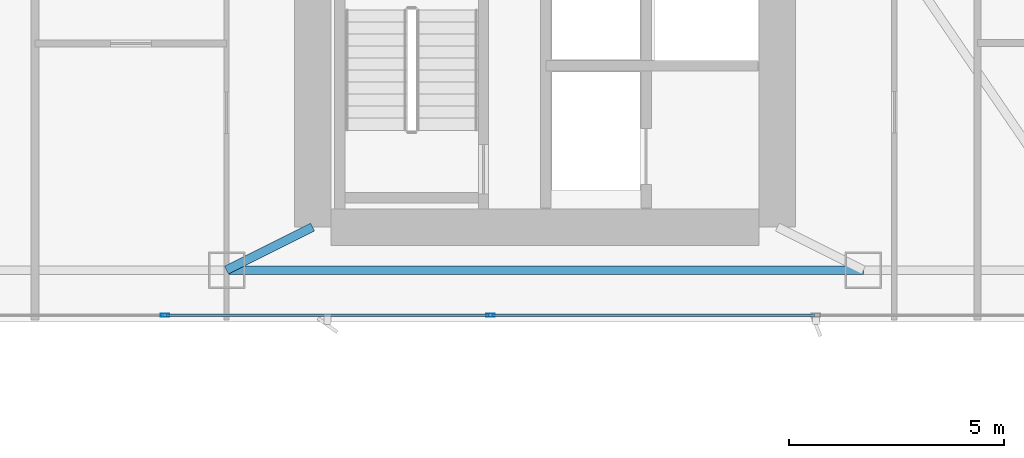
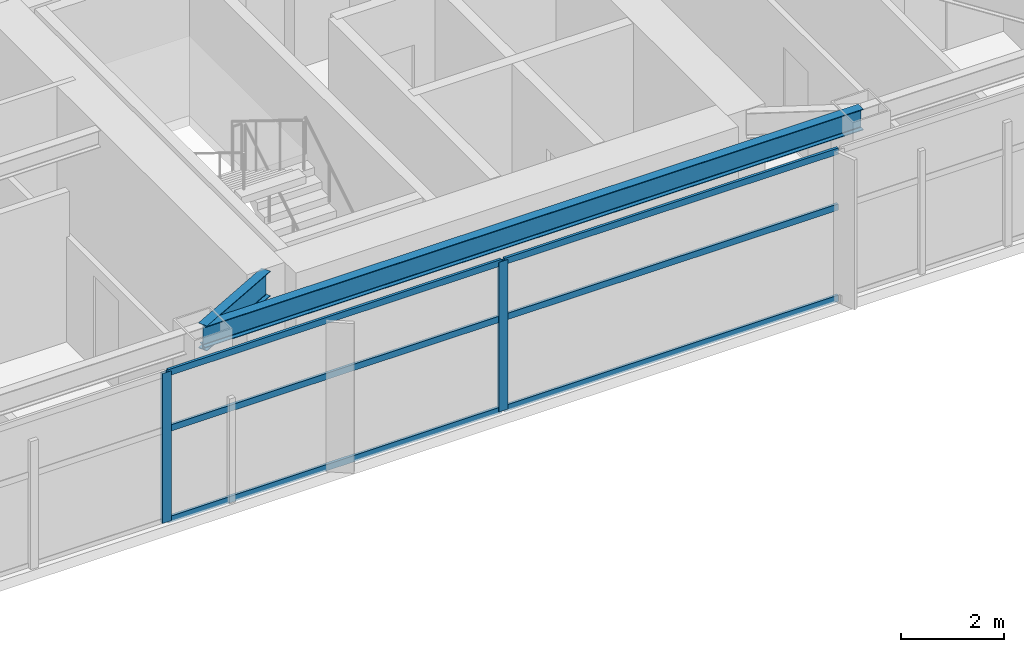
# One storey, part 6 of 29: 8 members, 2 beams, 1 element without a shape of its own.
"""IFC4 building model written with IfcOpenShell, lengths in metres."""

import ifcopenshell
import ifcopenshell.guid

model = None  # the IFC model being written
_history = None  # IfcOwnerHistory: only IFC2X3 demands one
_inside = {}  # id of a spatial element -> (the spatial element, [elements in it])
_under = {}  # id of a project, library or spatial element -> (it, [spatial elements below it])
_declared = {}  # id of a project -> (the project, [libraries it declares])
_typed = {}  # id of a type object -> (the type object, [elements of that type])
_made_of = {}  # id of a material, layer set ... -> (it, [elements and type objects made of it])


def new_model(schema):
    """Start an empty IFC model of exactly this schema.

    Asked for "IFC4X3", IfcOpenShell would pick the latest addendum, in which some entities
    have other attributes; the version numbers below select the first issue.
    IFC2X3 requires an IfcOwnerHistory on every rooted entity: one is made here for all.
    """
    global model, _history
    if schema == "IFC4X3":
        model = ifcopenshell.file(schema_version=(4, 3, 0, 0))
    else:
        model = ifcopenshell.file(schema=schema)
    _inside.clear()
    _under.clear()
    _declared.clear()
    _typed.clear()
    _made_of.clear()
    _history = None
    if model.schema == "IFC2X3":
        org = make("IfcOrganization", Name="unknown")
        user = make(
            "IfcPersonAndOrganization",
            ThePerson=make("IfcPerson", FamilyName="unknown"),
            TheOrganization=org,
        )
        app = make(
            "IfcApplication",
            ApplicationDeveloper=org,
            Version="unknown",
            ApplicationFullName="unknown",
            ApplicationIdentifier="unknown",
        )
        _history = make(
            "IfcOwnerHistory",
            OwningUser=user,
            OwningApplication=app,
            ChangeAction="ADDED",
            CreationDate=0,
        )
    return model


def make(cls, **values):
    """One entity of the class cls with the attributes given. An attribute that is None is left unset."""
    return model.create_entity(
        cls, **{name: value for name, value in values.items() if value is not None}
    )


def rooted(cls, **values):
    """An entity with a GlobalId (a new one), such as an element, a storey or a relation."""
    return make(cls, GlobalId=ifcopenshell.guid.new(), OwnerHistory=_history, **values)


def si_unit(unit_type, name, prefix=None):
    """IfcSIUnit, for example si_unit("LENGTHUNIT", "METRE", prefix="MILLI")."""
    return make("IfcSIUnit", UnitType=unit_type, Prefix=prefix, Name=name)


def assignment(units):
    """IfcUnitAssignment: the units of a project."""
    return None if units is None else make("IfcUnitAssignment", Units=units)


def point(xyz):
    """IfcCartesianPoint."""
    return None if xyz is None else make("IfcCartesianPoint", Coordinates=xyz)


def direction(xyz):
    """IfcDirection."""
    return None if xyz is None else make("IfcDirection", DirectionRatios=xyz)


def frame(location, z_axis=None, x_axis=None):
    """IfcAxis2Placement3D, a coordinate frame: its origin and axes. An axis left out is left unset."""
    return make(
        "IfcAxis2Placement3D",
        Location=point(location),
        Axis=direction(z_axis),
        RefDirection=direction(x_axis),
    )


def frame_2d(location, x_axis=None):
    """IfcAxis2Placement2D, a coordinate frame in the plane: its origin and x axis."""
    return make(
        "IfcAxis2Placement2D", Location=point(location), RefDirection=direction(x_axis)
    )


def origin():
    """The frame at (0, 0, 0) with its axes left unset."""
    return frame((0.0, 0.0, 0.0))


def origin_2d():
    """The frame at (0, 0) in the plane with its x axis left unset."""
    return frame_2d((0.0, 0.0))


def place(relative_to, where):
    """IfcLocalPlacement: puts the frame where relative to a parent placement (None: the world)."""
    return make(
        "IfcLocalPlacement", PlacementRelTo=relative_to, RelativePlacement=where
    )


def context(
    kind, dimensions, precision=None, world=None, true_north=None, identifier=None
):
    """IfcGeometricRepresentationContext, for example the 3D "Model" context."""
    return make(
        "IfcGeometricRepresentationContext",
        ContextIdentifier=identifier,
        ContextType=kind,
        CoordinateSpaceDimension=dimensions,
        Precision=precision,
        WorldCoordinateSystem=world,
        TrueNorth=true_north,
    )


def subcontext(parent, identifier, kind, view, scale=None):
    """IfcGeometricRepresentationSubContext, for example "Body" below "Model"."""
    return make(
        "IfcGeometricRepresentationSubContext",
        ContextIdentifier=identifier,
        ContextType=kind,
        ParentContext=parent,
        TargetScale=scale,
        TargetView=view,
    )


def project(units=None, contexts=None):
    """IfcProject with its units and contexts."""
    return rooted(
        "IfcProject",
        Name="project",
        RepresentationContexts=contexts,
        UnitsInContext=assignment(units),
    )


def spatial(cls, under=None, at=None, **own):
    """A site, building, storey or space (cls), placed at a placement, below another one or the project."""
    s = rooted(cls, ObjectPlacement=at, **own)
    if under is not None:
        _under.setdefault(under.id(), (under, []))[1].append(s)
    return s


def profile(cls, at=None, kind="AREA", **sizes):
    """A parametric profile (cls). Its sizes go by their IFC names, for example OverallWidth=200.0."""
    return make(cls, ProfileType=kind, Position=at, **sizes)


def hollow_rectangle(**sizes):
    """IfcRectangleHollowProfileDef."""
    return profile("IfcRectangleHollowProfileDef", **sizes)


def i_section(**sizes):
    """IfcIShapeProfileDef."""
    return profile("IfcIShapeProfileDef", **sizes)


def extrude(swept, where, along, depth):
    """IfcExtrudedAreaSolid: the profile swept, set in the frame where, extruded along a direction by depth."""
    return make(
        "IfcExtrudedAreaSolid",
        SweptArea=swept,
        Position=where,
        ExtrudedDirection=direction(along),
        Depth=depth,
    )


def shape(context_of_items, identifier, shape_type, items):
    """IfcShapeRepresentation: the items that make up one representation, for example the "Body"."""
    return make(
        "IfcShapeRepresentation",
        ContextOfItems=context_of_items,
        RepresentationIdentifier=identifier,
        RepresentationType=shape_type,
        Items=items,
    )


def material(Name=None, Category=None):
    """IfcMaterial."""
    return make("IfcMaterial", Name=Name, Category=Category)


def layer(
    of_material, thickness, ventilated=None, Name=None, Category=None, Priority=None
):
    """IfcMaterialLayer: one layer of a wall or slab, of a material (None: an air gap)."""
    return make(
        "IfcMaterialLayer",
        Material=of_material,
        LayerThickness=thickness,
        IsVentilated=ventilated,
        Name=Name,
        Category=Category,
        Priority=Priority,
    )


def layer_set(layers, Name=None):
    """IfcMaterialLayerSet."""
    return make("IfcMaterialLayerSet", MaterialLayers=layers, LayerSetName=Name)


def material_profile(
    of_material, cross_section, Name=None, Category=None, Priority=None
):
    """IfcMaterialProfile: a cross section and its material."""
    return make(
        "IfcMaterialProfile",
        Name=Name,
        Material=of_material,
        Profile=cross_section,
        Priority=Priority,
        Category=Category,
    )


def profile_set(profiles, Name=None, composite=None):
    """IfcMaterialProfileSet."""
    return make(
        "IfcMaterialProfileSet",
        Name=Name,
        MaterialProfiles=profiles,
        CompositeProfile=composite,
    )


def made_of(thing, what):
    """Note that an element or type object is made of a material, layer set ...; save() writes the relation."""
    if what is not None:
        _made_of.setdefault(what.id(), (what, []))[1].append(thing)
    return thing


def type_object(cls, material=None, **own):
    """A type object (cls), such as IfcWallType, which elements share."""
    return made_of(rooted(cls, **own), material)


def element(
    cls,
    number,
    at=None,
    inside=None,
    cuts=None,
    type_object=None,
    material=None,
    context=None,
    identifier="Body",
    shape_type=None,
    held_by="IfcProductDefinitionShape",
    body=None,
    shapes=None,
    **own,
):
    """One element of the class cls, such as IfcWall. Its Tag is "e" and its number.

    at: its placement. inside: the storey or other place that contains it. cuts: it is an
    opening in that element (IfcRelVoidsElement). A single representation is given by context,
    identifier, shape_type and body (its items); several are given by shapes. held_by: the class
    of the entity that holds the representations. save() writes the other relations.
    """
    e = rooted(cls, Tag="e%d" % number, ObjectPlacement=at, **own)
    if body is not None:
        shapes = [shape(context, identifier, shape_type, body)]
    if shapes is not None:
        e.Representation = make(held_by, Representations=shapes)
    if inside is not None:
        _inside.setdefault(inside.id(), (inside, []))[1].append(e)
    if cuts is not None:
        rooted(
            "IfcRelVoidsElement", RelatingBuildingElement=cuts, RelatedOpeningElement=e
        )
    if type_object is not None:
        _typed.setdefault(type_object.id(), (type_object, []))[1].append(e)
    return made_of(e, material)


def aggregate(whole, parts):
    """IfcRelAggregates: a whole, such as a stair, and the parts it consists of."""
    return rooted("IfcRelAggregates", RelatingObject=whole, RelatedObjects=parts)


def save(model, path):
    """Write the relations noted so far, then the file.

    IfcRelAggregates (storeys below a building ...), IfcRelContainedInSpatialStructure (elements
    in a storey), IfcRelDefinesByType, IfcRelAssociatesMaterial and IfcRelDeclares: one each for
    every whole, place, type object, material and project.
    """
    for whole, parts in _under.values():
        aggregate(whole, parts)
    for where, things in _inside.values():
        rooted(
            "IfcRelContainedInSpatialStructure",
            RelatedElements=things,
            RelatingStructure=where,
        )
    for kind, things in _typed.values():
        rooted("IfcRelDefinesByType", RelatedObjects=things, RelatingType=kind)
    for what, things in _made_of.values():
        rooted("IfcRelAssociatesMaterial", RelatedObjects=things, RelatingMaterial=what)
    for by, libraries in _declared.values():
        rooted("IfcRelDeclares", RelatingContext=by, RelatedDefinitions=libraries)
    model.write(path)


model = new_model("IFC4")

# Units and contexts
model_context = context("Model", 3, precision=1e-05, world=origin(), true_north=direction((0.0, 1.0)))
body_context = subcontext(model_context, "Body", "Model", "MODEL_VIEW")
ifc_project = project(units=[si_unit("LENGTHUNIT", "METRE"), si_unit("AREAUNIT", "SQUARE_METRE"), si_unit("VOLUMEUNIT", "CUBIC_METRE"), si_unit("PLANEANGLEUNIT", "RADIAN"), si_unit("MASSUNIT", "GRAM", prefix="KILO")], contexts=[model_context])

# Site, building, storey
site_placement = place(None, origin())
site = spatial("IfcSite", under=ifc_project, at=site_placement, CompositionType="ELEMENT")
building_placement = place(site_placement, origin())
building = spatial("IfcBuilding", under=site, at=building_placement, Name="Calvorn Quay Hotel", CompositionType="ELEMENT")
storey_placement = place(building_placement, frame((0.0, 0.0, 171.300048828125)))
storey = spatial("IfcBuildingStorey", under=building, at=storey_placement, Name="L42", CompositionType="ELEMENT", Elevation=171.300048828125)

# Beams
ifc_material_1 = material(Name="Steel Q355B", Category="steel")
ifc_material_profile_1 = material_profile(ifc_material_1, i_section(OverallWidth=0.199951171875, OverallDepth=0.60009765625, WebThickness=0.010986328125, FlangeThickness=0.01708984375, FilletRadius=0.01806640625, at=origin_2d()), Name="HN600x200x11x17")
ifc_profile_set_1 = profile_set([ifc_material_profile_1], Name="Steel Q355B")
beam_type_1 = type_object("IfcBeamType", Name="BM-GIRD-TYP", PredefinedType="BEAM", material=ifc_profile_set_1)
beam_1_placement = place(storey_placement, frame((19.60009765625, 3.60009765625, 3.239990234375), z_axis=(0.894427191, 0.4472135955, 0.0), x_axis=(-0.4472135955, 0.894427191, 0.0)))
element("IfcBeam", 1, at=beam_1_placement, inside=storey, type_object=beam_type_1, Name="Beam BG-L42-S2", PredefinedType="BEAM", context=body_context, shape_type="SweptSolid", body=[
    extrude(i_section(OverallWidth=0.199951171875, OverallDepth=0.60009765625, WebThickness=0.010986328125, FlangeThickness=0.01708984375, FilletRadius=0.01806640625, at=origin_2d()), origin(), (0.0, 0.0, 1.0), 2.236083984375),
])
ifc_material_2 = material(Name="Steel Q355B", Category="steel")
ifc_material_profile_2 = material_profile(ifc_material_2, i_section(OverallWidth=0.199951171875, OverallDepth=0.5, WebThickness=0.010009765625, FlangeThickness=0.01611328125, FilletRadius=0.01611328125, at=origin_2d()), Name="HN500x200x10x16")
ifc_profile_set_2 = profile_set([ifc_material_profile_2], Name="Steel Q355B")
beam_type_2 = type_object("IfcBeamType", Name="BM-SPANDREL-Z1", PredefinedType="SPANDREL", material=ifc_profile_set_2)
beam_2_placement = place(storey_placement, frame((19.60009765625, 3.60009765625, 3.2900390625), z_axis=(1.0, 0.0, 0.0), x_axis=(0.0, 1.0, 0.0)))
element("IfcBeam", 2, at=beam_2_placement, inside=storey, type_object=beam_type_2, Name="Beam BSP-L42-S3", PredefinedType="SPANDREL", context=body_context, shape_type="SweptSolid", body=[
    extrude(i_section(OverallWidth=0.199951171875, OverallDepth=0.5, WebThickness=0.010009765625, FlangeThickness=0.01611328125, FilletRadius=0.01611328125, at=origin_2d()), origin(), (0.0, 0.0, 1.0), 14.7998046875),
])

# Curtain wall, members
ifc_material_3 = material(Name="Pale Anodised Aluminium and Low-E Glass", Category="aluminium")
ifc_layer = layer(ifc_material_3, 0.219970703125)
ifc_layer_set = layer_set([ifc_layer], Name="CW-SYS-Z2")
curtain_wall_type = type_object("IfcCurtainWallType", Name="CW-SYS-Z2", PredefinedType="NOTDEFINED", material=ifc_layer_set)
curtain_wall_placement = place(storey_placement, origin())
curtain_wall = element("IfcCurtainWall", 3, at=curtain_wall_placement, inside=storey, type_object=curtain_wall_type, Name="Tower South Waterfront Curtain Wall (L42)", PredefinedType="NOTDEFINED")
ifc_material_4 = material(Name="Pale Anodised Aluminium 6063-T6", Category="aluminium")
ifc_material_profile_3 = material_profile(ifc_material_4, hollow_rectangle(XDim=0.070068359375, YDim=0.199951171875, WallThickness=0.00390625, at=origin_2d()), Name="ALU-M200x70x4")
ifc_profile_set_3 = profile_set([ifc_material_profile_3], Name="Pale Anodised Aluminium 6063-T6")
member_type_1 = type_object("IfcMemberType", Name="CW-SYS-Z2-MUL", PredefinedType="MULLION", material=ifc_profile_set_3)
member_1_placement = place(storey_placement, frame((18.166748046875, 2.550048828125, 0.0), z_axis=(0.0, 0.0, 1.0), x_axis=(0.0, 1.0, 0.0)))
member_1 = element("IfcMember", 4, at=member_1_placement, type_object=member_type_1, Name="CW-L42-S mullion 2", PredefinedType="MULLION", context=body_context, shape_type="SweptSolid", body=[
    extrude(hollow_rectangle(XDim=0.070068359375, YDim=0.199951171875, WallThickness=0.00390625, at=origin_2d()), origin(), (0.0, 0.0, 1.0), 3.56005859375),
])
member_2_placement = place(storey_placement, frame((25.7333984375, 2.550048828125, 0.0), z_axis=(0.0, 0.0, 1.0), x_axis=(0.0, 1.0, 0.0)))
member_2 = element("IfcMember", 5, at=member_2_placement, type_object=member_type_1, Name="CW-L42-S mullion 3", PredefinedType="MULLION", context=body_context, shape_type="SweptSolid", body=[
    extrude(hollow_rectangle(XDim=0.070068359375, YDim=0.199951171875, WallThickness=0.00390625, at=origin_2d()), origin(), (0.0, 0.0, 1.0), 3.56005859375),
])
ifc_material_5 = material(Name="Pale Anodised Aluminium 6063-T6", Category="aluminium")
ifc_material_profile_4 = material_profile(ifc_material_5, hollow_rectangle(XDim=0.06005859375, YDim=0.14990234375, WallThickness=0.00341796875, at=origin_2d()), Name="ALU-T150x60x3.5")
ifc_profile_set_4 = profile_set([ifc_material_profile_4], Name="Pale Anodised Aluminium 6063-T6")
member_type_2 = type_object("IfcMemberType", Name="CW-SYS-Z2-TRN", PredefinedType="USERDEFINED", material=ifc_profile_set_4)
member_3_placement = place(storey_placement, frame((18.19677734375, 2.550048828125, 0.030029296875), z_axis=(1.0, 0.0, 0.0), x_axis=(0.0, 1.0, 0.0)))
member_3 = element("IfcMember", 6, at=member_3_placement, type_object=member_type_2, Name="CW-L42-S transom 2.1", ObjectType="TRANSOM", PredefinedType="USERDEFINED", context=body_context, shape_type="SweptSolid", body=[
    extrude(hollow_rectangle(XDim=0.06005859375, YDim=0.14990234375, WallThickness=0.00341796875, at=origin_2d()), origin(), (0.0, 0.0, 1.0), 7.506591796875),
])
member_4_placement = place(storey_placement, frame((18.19677734375, 2.550048828125, 2.199951171875), z_axis=(1.0, 0.0, 0.0), x_axis=(0.0, 1.0, 0.0)))
member_4 = element("IfcMember", 7, at=member_4_placement, type_object=member_type_2, Name="CW-L42-S transom 2.2", ObjectType="TRANSOM", PredefinedType="USERDEFINED", context=body_context, shape_type="SweptSolid", body=[
    extrude(hollow_rectangle(XDim=0.06005859375, YDim=0.14990234375, WallThickness=0.00341796875, at=origin_2d()), origin(), (0.0, 0.0, 1.0), 7.506591796875),
])
member_5_placement = place(storey_placement, frame((18.19677734375, 2.550048828125, 3.530029296875), z_axis=(1.0, 0.0, 0.0), x_axis=(0.0, 1.0, 0.0)))
member_5 = element("IfcMember", 8, at=member_5_placement, type_object=member_type_2, Name="CW-L42-S transom 2.3", ObjectType="TRANSOM", PredefinedType="USERDEFINED", context=body_context, shape_type="SweptSolid", body=[
    extrude(hollow_rectangle(XDim=0.06005859375, YDim=0.14990234375, WallThickness=0.00341796875, at=origin_2d()), origin(), (0.0, 0.0, 1.0), 7.506591796875),
])
member_6_placement = place(storey_placement, frame((25.763427734375, 2.550048828125, 0.030029296875), z_axis=(1.0, 0.0, 0.0), x_axis=(0.0, 1.0, 0.0)))
member_6 = element("IfcMember", 9, at=member_6_placement, type_object=member_type_2, Name="CW-L42-S transom 3.1", ObjectType="TRANSOM", PredefinedType="USERDEFINED", context=body_context, shape_type="SweptSolid", body=[
    extrude(hollow_rectangle(XDim=0.06005859375, YDim=0.14990234375, WallThickness=0.00341796875, at=origin_2d()), origin(), (0.0, 0.0, 1.0), 7.506591796875),
])
member_7_placement = place(storey_placement, frame((25.763427734375, 2.550048828125, 2.199951171875), z_axis=(1.0, 0.0, 0.0), x_axis=(0.0, 1.0, 0.0)))
member_7 = element("IfcMember", 10, at=member_7_placement, type_object=member_type_2, Name="CW-L42-S transom 3.2", ObjectType="TRANSOM", PredefinedType="USERDEFINED", context=body_context, shape_type="SweptSolid", body=[
    extrude(hollow_rectangle(XDim=0.06005859375, YDim=0.14990234375, WallThickness=0.00341796875, at=origin_2d()), origin(), (0.0, 0.0, 1.0), 7.506591796875),
])
member_8_placement = place(storey_placement, frame((25.763427734375, 2.550048828125, 3.530029296875), z_axis=(1.0, 0.0, 0.0), x_axis=(0.0, 1.0, 0.0)))
member_8 = element("IfcMember", 11, at=member_8_placement, type_object=member_type_2, Name="CW-L42-S transom 3.3", ObjectType="TRANSOM", PredefinedType="USERDEFINED", context=body_context, shape_type="SweptSolid", body=[
    extrude(hollow_rectangle(XDim=0.06005859375, YDim=0.14990234375, WallThickness=0.00341796875, at=origin_2d()), origin(), (0.0, 0.0, 1.0), 7.506591796875),
])
aggregate(curtain_wall, [member_1, member_2, member_3, member_4, member_5, member_6, member_7, member_8])

save(model, "model.ifc")
